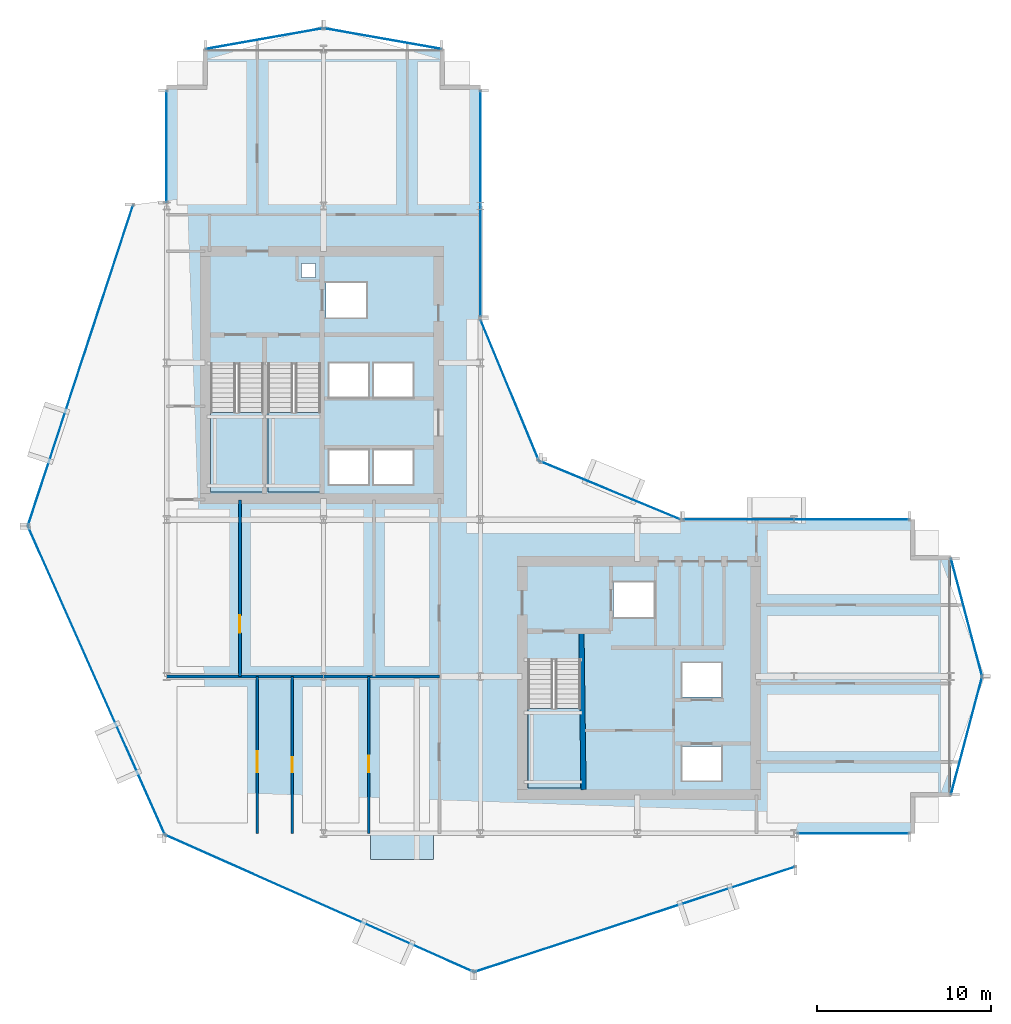
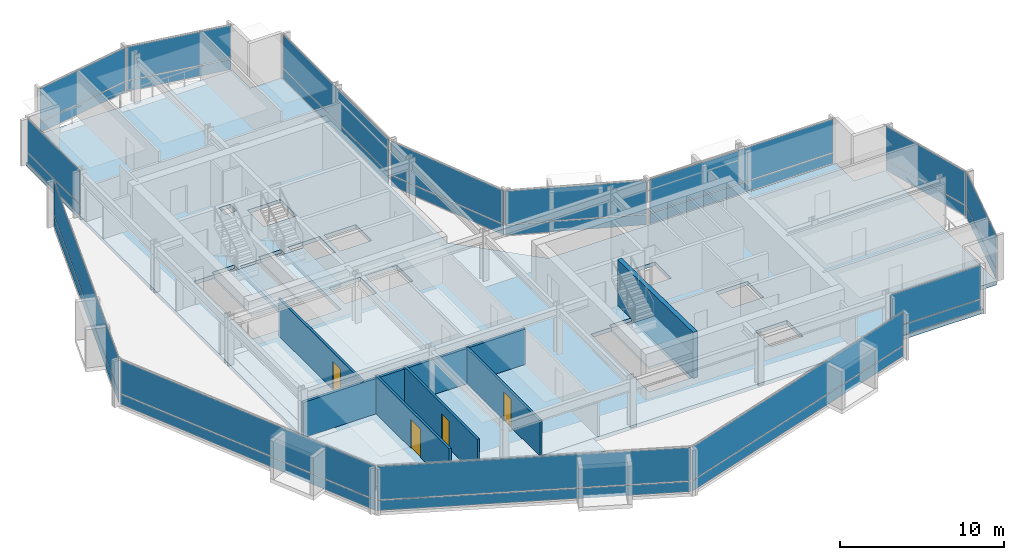
# One storey, part 21 of 29: 28 plates, 6 walls, 5 slabs, 4 doors, 4 openings, 17 elements without a shape of their own.
"""IFC4 building model written with IfcOpenShell, lengths in metres."""

from ifc_helpers import new_model, si_unit, direction, frame, frame_2d, origin, origin_2d, place, context, subcontext, project, spatial, polyline, rectangle, outline, extrude, material, layer, layer_set, type_object, element, fill, aggregate, save


model = new_model("IFC4")

# Units and contexts
model_context = context("Model", 3, precision=1e-05, world=origin(), true_north=direction((0.0, 1.0)))
body_context = subcontext(model_context, "Body", "Model", "MODEL_VIEW")
ifc_project = project(units=[si_unit("LENGTHUNIT", "METRE"), si_unit("AREAUNIT", "SQUARE_METRE"), si_unit("VOLUMEUNIT", "CUBIC_METRE"), si_unit("PLANEANGLEUNIT", "RADIAN"), si_unit("MASSUNIT", "GRAM", prefix="KILO")], contexts=[model_context])

# Site, building, storey
site_placement = place(None, origin())
site = spatial("IfcSite", under=ifc_project, at=site_placement, CompositionType="ELEMENT")
building_placement = place(site_placement, origin())
building = spatial("IfcBuilding", under=site, at=building_placement, Name="Solvaryn Broadcast Tower", CompositionType="ELEMENT")
storey_placement = place(building_placement, frame((0.0, 0.0, 117.39990234375)))
storey = spatial("IfcBuildingStorey", under=building, at=storey_placement, Name="L28", CompositionType="ELEMENT", Elevation=117.39990234375)

# Curtain wall, plates
ifc_material_1 = material(Name="Aluminium and Terracotta Unitised Curtain Wall", Category="masonry")
ifc_layer_1 = layer(ifc_material_1, 0.199951171875)
ifc_layer_set_1 = layer_set([ifc_layer_1], Name="CW-SYS2-LOWMID")
curtain_wall_type_1 = type_object("IfcCurtainWallType", Name="CW-SYS2-LOWMID", PredefinedType="NOTDEFINED", material=ifc_layer_set_1)
curtain_wall_1_placement = place(storey_placement, origin())
curtain_wall_1 = element("IfcCurtainWall", 1, at=curtain_wall_1_placement, inside=storey, type_object=curtain_wall_type_1, Name="L28 Curtain Wall DR1", PredefinedType="NOTDEFINED")
ifc_material_2 = material(Name="Kiln-Fired Architectural Terracotta Spandrel", Category="masonry")
ifc_layer_2 = layer(ifc_material_2, 0.048095703125)
ifc_layer_set_2 = layer_set([ifc_layer_2], Name="CW-PNL-TERRACOTTA")
plate_type = type_object("IfcPlateType", Name="CW-PNL-TERRACOTTA", PredefinedType="CURTAIN_PANEL", material=ifc_layer_set_2)
plate_1_placement = place(storey_placement, frame((4.056396484375, 35.8515625, 0.06005859375), z_axis=(0.0, 0.0, 1.0), x_axis=(-0.311646057547, -0.950198260794, 0.0)))
plate_1 = element("IfcPlate", 2, at=plate_1_placement, type_object=plate_type, Name="CWS2 panel 1.1", PredefinedType="CURTAIN_PANEL", context=body_context, shape_type="SweptSolid", body=[
    extrude(rectangle(XDim=19.277099609375, YDim=0.028076171875, at=origin_2d()), origin(), (0.0, 0.0, 1.0), 0.760009765625),
])
plate_2_placement = place(storey_placement, frame((4.056396484375, 35.8515625, 0.880126953125), z_axis=(0.0, 0.0, 1.0), x_axis=(-0.311646057547, -0.950198260794, 0.0)))
plate_2 = element("IfcPlate", 3, at=plate_2_placement, type_object=plate_type, Name="CWS2 panel 1.2", PredefinedType="CURTAIN_PANEL", context=body_context, shape_type="SweptSolid", body=[
    extrude(rectangle(XDim=19.277099609375, YDim=0.028076171875, at=origin_2d()), origin(), (0.0, 0.0, 1.0), 2.47998046875),
])
aggregate(curtain_wall_1, [plate_1, plate_2])

ifc_material_3 = material(Name="Aluminium and Terracotta Unitised Curtain Wall", Category="masonry")
ifc_layer_3 = layer(ifc_material_3, 0.239990234375)
ifc_layer_set_3 = layer_set([ifc_layer_3], Name="CW-SYS3-BAYBOX")
curtain_wall_type_2 = type_object("IfcCurtainWallType", Name="CW-SYS3-BAYBOX", PredefinedType="NOTDEFINED", material=ifc_layer_set_3)
curtain_wall_2_placement = place(storey_placement, origin())
curtain_wall_2 = element("IfcCurtainWall", 4, at=curtain_wall_2_placement, inside=storey, type_object=curtain_wall_type_2, Name="L28 Curtain Wall DR2", PredefinedType="NOTDEFINED")
plate_3_placement = place(storey_placement, frame((4.970947265625, 17.77197265625, 0.06005859375), z_axis=(0.0, 0.0, 1.0), x_axis=(0.405918429309, -0.913909311008, 0.0)))
plate_3 = element("IfcPlate", 5, at=plate_3_placement, type_object=plate_type, Name="CWS3 panel 1.1", PredefinedType="CURTAIN_PANEL", context=body_context, shape_type="SweptSolid", body=[
    extrude(rectangle(XDim=19.278076171875, YDim=0.028076171875, at=origin_2d()), origin(), (0.0, 0.0, 1.0), 0.760009765625),
])
plate_4_placement = place(storey_placement, frame((4.970947265625, 17.77197265625, 0.880126953125), z_axis=(0.0, 0.0, 1.0), x_axis=(0.405918429309, -0.913909311008, 0.0)))
plate_4 = element("IfcPlate", 6, at=plate_4_placement, type_object=plate_type, Name="CWS3 panel 1.2", PredefinedType="CURTAIN_PANEL", context=body_context, shape_type="SweptSolid", body=[
    extrude(rectangle(XDim=19.278076171875, YDim=0.028076171875, at=origin_2d()), origin(), (0.0, 0.0, 1.0), 2.47998046875),
])
aggregate(curtain_wall_2, [plate_3, plate_4])

curtain_wall_3_placement = place(storey_placement, origin())
curtain_wall_3 = element("IfcCurtainWall", 7, at=curtain_wall_3_placement, inside=storey, type_object=curtain_wall_type_1, Name="L28 Curtain Wall DR3", PredefinedType="NOTDEFINED")
plate_5_placement = place(storey_placement, frame((17.77197265625, 4.970947265625, 0.06005859375), z_axis=(0.0, 0.0, 1.0), x_axis=(0.913909311008, -0.405918429309, 0.0)))
plate_5 = element("IfcPlate", 8, at=plate_5_placement, type_object=plate_type, Name="CWS2 panel 1.1", PredefinedType="CURTAIN_PANEL", context=body_context, shape_type="SweptSolid", body=[
    extrude(rectangle(XDim=19.278076171875, YDim=0.028076171875, at=origin_2d()), origin(), (0.0, 0.0, 1.0), 0.760009765625),
])
plate_6_placement = place(storey_placement, frame((17.77197265625, 4.970947265625, 0.880126953125), z_axis=(0.0, 0.0, 1.0), x_axis=(0.913909311008, -0.405918429309, 0.0)))
plate_6 = element("IfcPlate", 9, at=plate_6_placement, type_object=plate_type, Name="CWS2 panel 1.2", PredefinedType="CURTAIN_PANEL", context=body_context, shape_type="SweptSolid", body=[
    extrude(rectangle(XDim=19.278076171875, YDim=0.028076171875, at=origin_2d()), origin(), (0.0, 0.0, 1.0), 2.47998046875),
])
aggregate(curtain_wall_3, [plate_5, plate_6])

curtain_wall_4_placement = place(storey_placement, origin())
curtain_wall_4 = element("IfcCurtainWall", 10, at=curtain_wall_4_placement, inside=storey, type_object=curtain_wall_type_1, Name="L28 Curtain Wall DR4", PredefinedType="NOTDEFINED")
plate_7_placement = place(storey_placement, frame((35.8515625, 4.056396484375, 0.06005859375), z_axis=(0.0, 0.0, 1.0), x_axis=(0.950198260794, 0.311646057547, 0.0)))
plate_7 = element("IfcPlate", 11, at=plate_7_placement, type_object=plate_type, Name="CWS2 panel 1.1", PredefinedType="CURTAIN_PANEL", context=body_context, shape_type="SweptSolid", body=[
    extrude(rectangle(XDim=19.277099609375, YDim=0.028076171875, at=origin_2d()), origin(), (0.0, 0.0, 1.0), 0.760009765625),
])
plate_8_placement = place(storey_placement, frame((35.8515625, 4.056396484375, 0.880126953125), z_axis=(0.0, 0.0, 1.0), x_axis=(0.950198260794, 0.311646057547, 0.0)))
plate_8 = element("IfcPlate", 12, at=plate_8_placement, type_object=plate_type, Name="CWS2 panel 1.2", PredefinedType="CURTAIN_PANEL", context=body_context, shape_type="SweptSolid", body=[
    extrude(rectangle(XDim=19.277099609375, YDim=0.028076171875, at=origin_2d()), origin(), (0.0, 0.0, 1.0), 2.47998046875),
])
aggregate(curtain_wall_4, [plate_7, plate_8])

curtain_wall_5_placement = place(storey_placement, origin())
curtain_wall_5 = element("IfcCurtainWall", 13, at=curtain_wall_5_placement, inside=storey, type_object=curtain_wall_type_1, Name="L28 Curtain Wall W2", PredefinedType="NOTDEFINED")
plate_9_placement = place(storey_placement, frame((9.0, 48.408447265625, 0.06005859375), z_axis=(0.0, 0.0, 1.0), x_axis=(0.0, 1.0, 0.0)))
plate_9 = element("IfcPlate", 14, at=plate_9_placement, type_object=plate_type, Name="CWS2 panel 1.1", PredefinedType="CURTAIN_PANEL", context=body_context, shape_type="SweptSolid", body=[
    extrude(rectangle(XDim=6.363037109375, YDim=0.028076171875, at=origin_2d()), origin(), (0.0, 0.0, 1.0), 0.760009765625),
])
plate_10_placement = place(storey_placement, frame((9.0, 48.408447265625, 0.880126953125), z_axis=(0.0, 0.0, 1.0), x_axis=(0.0, 1.0, 0.0)))
plate_10 = element("IfcPlate", 15, at=plate_10_placement, type_object=plate_type, Name="CWS2 panel 1.2", PredefinedType="CURTAIN_PANEL", context=body_context, shape_type="SweptSolid", body=[
    extrude(rectangle(XDim=6.363037109375, YDim=0.028076171875, at=origin_2d()), origin(), (0.0, 0.0, 1.0), 2.47998046875),
])
aggregate(curtain_wall_5, [plate_9, plate_10])

curtain_wall_6_placement = place(storey_placement, origin())
curtain_wall_6 = element("IfcCurtainWall", 16, at=curtain_wall_6_placement, inside=storey, type_object=curtain_wall_type_1, Name="L28 Curtain Wall IV", PredefinedType="NOTDEFINED")
plate_11_placement = place(storey_placement, frame((27.0, 45.125, 0.06005859375), z_axis=(0.0, 0.0, 1.0), x_axis=(0.0, -1.0, 0.0)))
plate_11 = element("IfcPlate", 17, at=plate_11_placement, type_object=plate_type, Name="CWS2 panel 1.1", PredefinedType="CURTAIN_PANEL", context=body_context, shape_type="SweptSolid", body=[
    extrude(rectangle(XDim=12.929931640625, YDim=0.028076171875, at=origin_2d()), origin(), (0.0, 0.0, 1.0), 0.760009765625),
])
plate_12_placement = place(storey_placement, frame((27.0, 45.125, 0.880126953125), z_axis=(0.0, 0.0, 1.0), x_axis=(0.0, -1.0, 0.0)))
plate_12 = element("IfcPlate", 18, at=plate_12_placement, type_object=plate_type, Name="CWS2 panel 1.2", PredefinedType="CURTAIN_PANEL", context=body_context, shape_type="SweptSolid", body=[
    extrude(rectangle(XDim=12.929931640625, YDim=0.028076171875, at=origin_2d()), origin(), (0.0, 0.0, 1.0), 2.47998046875),
])
aggregate(curtain_wall_6, [plate_11, plate_12])

curtain_wall_7_placement = place(storey_placement, origin())
curtain_wall_7 = element("IfcCurtainWall", 19, at=curtain_wall_7_placement, inside=storey, type_object=curtain_wall_type_1, Name="L28 Curtain Wall CN1", PredefinedType="NOTDEFINED")
plate_13_placement = place(storey_placement, frame((34.43408203125, 28.68408203125, 0.06005859375), z_axis=(0.0, 0.0, 1.0), x_axis=(-0.923894983957, 0.382646127145, 0.0)))
plate_13 = element("IfcPlate", 20, at=plate_13_placement, type_object=plate_type, Name="CWS2 panel 1.1", PredefinedType="CURTAIN_PANEL", context=body_context, shape_type="SweptSolid", body=[
    extrude(rectangle(XDim=8.681884765625, YDim=0.028076171875, at=origin_2d()), origin(), (0.0, 0.0, 1.0), 0.760009765625),
])
plate_14_placement = place(storey_placement, frame((34.43408203125, 28.68408203125, 0.880126953125), z_axis=(0.0, 0.0, 1.0), x_axis=(-0.923894983957, 0.382646127145, 0.0)))
plate_14 = element("IfcPlate", 21, at=plate_14_placement, type_object=plate_type, Name="CWS2 panel 1.2", PredefinedType="CURTAIN_PANEL", context=body_context, shape_type="SweptSolid", body=[
    extrude(rectangle(XDim=8.681884765625, YDim=0.028076171875, at=origin_2d()), origin(), (0.0, 0.0, 1.0), 2.47998046875),
])
aggregate(curtain_wall_7, [plate_13, plate_14])

curtain_wall_8_placement = place(storey_placement, origin())
curtain_wall_8 = element("IfcCurtainWall", 22, at=curtain_wall_8_placement, inside=storey, type_object=curtain_wall_type_1, Name="L28 Curtain Wall CN2", PredefinedType="NOTDEFINED")
plate_15_placement = place(storey_placement, frame((28.68408203125, 34.43408203125, 0.06005859375), z_axis=(0.0, 0.0, 1.0), x_axis=(-0.382646127145, 0.923894983957, 0.0)))
plate_15 = element("IfcPlate", 23, at=plate_15_placement, type_object=plate_type, Name="CWS2 panel 1.1", PredefinedType="CURTAIN_PANEL", context=body_context, shape_type="SweptSolid", body=[
    extrude(rectangle(XDim=8.681884765625, YDim=0.028076171875, at=origin_2d()), origin(), (0.0, 0.0, 1.0), 0.760009765625),
])
plate_16_placement = place(storey_placement, frame((28.68408203125, 34.43408203125, 0.880126953125), z_axis=(0.0, 0.0, 1.0), x_axis=(-0.382646127145, 0.923894983957, 0.0)))
plate_16 = element("IfcPlate", 24, at=plate_16_placement, type_object=plate_type, Name="CWS2 panel 1.2", PredefinedType="CURTAIN_PANEL", context=body_context, shape_type="SweptSolid", body=[
    extrude(rectangle(XDim=8.681884765625, YDim=0.028076171875, at=origin_2d()), origin(), (0.0, 0.0, 1.0), 2.47998046875),
])
aggregate(curtain_wall_8, [plate_15, plate_16])

curtain_wall_9_placement = place(storey_placement, origin())
curtain_wall_9 = element("IfcCurtainWall", 25, at=curtain_wall_9_placement, inside=storey, type_object=curtain_wall_type_1, Name="L28 Curtain Wall S2", PredefinedType="NOTDEFINED")
plate_17_placement = place(storey_placement, frame((48.408447265625, 9.0, 0.06005859375), z_axis=(0.0, 0.0, 1.0), x_axis=(1.0, 0.0, 0.0)))
plate_17 = element("IfcPlate", 26, at=plate_17_placement, type_object=plate_type, Name="CWS2 panel 1.1", PredefinedType="CURTAIN_PANEL", context=body_context, shape_type="SweptSolid", body=[
    extrude(rectangle(XDim=6.363037109375, YDim=0.028076171875, at=origin_2d()), origin(), (0.0, 0.0, 1.0), 0.760009765625),
])
plate_18_placement = place(storey_placement, frame((48.408447265625, 9.0, 0.880126953125), z_axis=(0.0, 0.0, 1.0), x_axis=(1.0, 0.0, 0.0)))
plate_18 = element("IfcPlate", 27, at=plate_18_placement, type_object=plate_type, Name="CWS2 panel 1.2", PredefinedType="CURTAIN_PANEL", context=body_context, shape_type="SweptSolid", body=[
    extrude(rectangle(XDim=6.363037109375, YDim=0.028076171875, at=origin_2d()), origin(), (0.0, 0.0, 1.0), 2.47998046875),
])
aggregate(curtain_wall_9, [plate_17, plate_18])

curtain_wall_10_placement = place(storey_placement, origin())
curtain_wall_10 = element("IfcCurtainWall", 28, at=curtain_wall_10_placement, inside=storey, type_object=curtain_wall_type_1, Name="L28 Curtain Wall NT1", PredefinedType="NOTDEFINED")
plate_19_placement = place(storey_placement, frame((21.39990234375, 54.60009765625, 0.06005859375), z_axis=(0.0, 0.0, 1.0), x_axis=(-0.984783558819, 0.173785333901, 0.0)))
plate_19 = element("IfcPlate", 29, at=plate_19_placement, type_object=plate_type, Name="CWS2 panel 1.1", PredefinedType="CURTAIN_PANEL", context=body_context, shape_type="SweptSolid", body=[
    extrude(rectangle(XDim=6.78515625, YDim=0.028076171875, at=origin_2d()), origin(), (0.0, 0.0, 1.0), 0.760009765625),
])
plate_20_placement = place(storey_placement, frame((21.39990234375, 54.60009765625, 0.880126953125), z_axis=(0.0, 0.0, 1.0), x_axis=(-0.984783558819, 0.173785333901, 0.0)))
plate_20 = element("IfcPlate", 30, at=plate_20_placement, type_object=plate_type, Name="CWS2 panel 1.2", PredefinedType="CURTAIN_PANEL", context=body_context, shape_type="SweptSolid", body=[
    extrude(rectangle(XDim=6.78515625, YDim=0.028076171875, at=origin_2d()), origin(), (0.0, 0.0, 1.0), 2.47998046875),
])
aggregate(curtain_wall_10, [plate_19, plate_20])

curtain_wall_11_placement = place(storey_placement, origin())
curtain_wall_11 = element("IfcCurtainWall", 31, at=curtain_wall_11_placement, inside=storey, type_object=curtain_wall_type_1, Name="L28 Curtain Wall NT2", PredefinedType="NOTDEFINED")
plate_21_placement = place(storey_placement, frame((14.60009765625, 54.60009765625, 0.06005859375), z_axis=(0.0, 0.0, 1.0), x_axis=(-0.984783558819, -0.173785333901, 0.0)))
plate_21 = element("IfcPlate", 32, at=plate_21_placement, type_object=plate_type, Name="CWS2 panel 1.1", PredefinedType="CURTAIN_PANEL", context=body_context, shape_type="SweptSolid", body=[
    extrude(rectangle(XDim=6.78515625, YDim=0.028076171875, at=origin_2d()), origin(), (0.0, 0.0, 1.0), 0.760009765625),
])
plate_22_placement = place(storey_placement, frame((14.60009765625, 54.60009765625, 0.880126953125), z_axis=(0.0, 0.0, 1.0), x_axis=(-0.984783558819, -0.173785333901, 0.0)))
plate_22 = element("IfcPlate", 33, at=plate_22_placement, type_object=plate_type, Name="CWS2 panel 1.2", PredefinedType="CURTAIN_PANEL", context=body_context, shape_type="SweptSolid", body=[
    extrude(rectangle(XDim=6.78515625, YDim=0.028076171875, at=origin_2d()), origin(), (0.0, 0.0, 1.0), 2.47998046875),
])
aggregate(curtain_wall_11, [plate_21, plate_22])

curtain_wall_12_placement = place(storey_placement, origin())
curtain_wall_12 = element("IfcCurtainWall", 34, at=curtain_wall_12_placement, inside=storey, type_object=curtain_wall_type_1, Name="L28 Curtain Wall ET1", PredefinedType="NOTDEFINED")
plate_23_placement = place(storey_placement, frame((54.89990234375, 21.39990234375, 0.06005859375), z_axis=(0.0, 0.0, 1.0), x_axis=(0.25589256031, -0.966705227863, 0.0)))
plate_23 = element("IfcPlate", 35, at=plate_23_placement, type_object=plate_type, Name="CWS2 panel 1.1", PredefinedType="CURTAIN_PANEL", context=body_context, shape_type="SweptSolid", body=[
    extrude(rectangle(XDim=6.914306640625, YDim=0.028076171875, at=origin_2d()), origin(), (0.0, 0.0, 1.0), 0.760009765625),
])
plate_24_placement = place(storey_placement, frame((54.89990234375, 21.39990234375, 0.880126953125), z_axis=(0.0, 0.0, 1.0), x_axis=(0.25589256031, -0.966705227863, 0.0)))
plate_24 = element("IfcPlate", 36, at=plate_24_placement, type_object=plate_type, Name="CWS2 panel 1.2", PredefinedType="CURTAIN_PANEL", context=body_context, shape_type="SweptSolid", body=[
    extrude(rectangle(XDim=6.914306640625, YDim=0.028076171875, at=origin_2d()), origin(), (0.0, 0.0, 1.0), 2.47998046875),
])
aggregate(curtain_wall_12, [plate_23, plate_24])

curtain_wall_13_placement = place(storey_placement, origin())
curtain_wall_13 = element("IfcCurtainWall", 37, at=curtain_wall_13_placement, inside=storey, type_object=curtain_wall_type_1, Name="L28 Curtain Wall ET2", PredefinedType="NOTDEFINED")
plate_25_placement = place(storey_placement, frame((54.89990234375, 14.60009765625, 0.06005859375), z_axis=(0.0, 0.0, 1.0), x_axis=(-0.25589256031, -0.966705227863, 0.0)))
plate_25 = element("IfcPlate", 38, at=plate_25_placement, type_object=plate_type, Name="CWS2 panel 1.1", PredefinedType="CURTAIN_PANEL", context=body_context, shape_type="SweptSolid", body=[
    extrude(rectangle(XDim=6.914306640625, YDim=0.028076171875, at=origin_2d()), origin(), (0.0, 0.0, 1.0), 0.760009765625),
])
plate_26_placement = place(storey_placement, frame((54.89990234375, 14.60009765625, 0.880126953125), z_axis=(0.0, 0.0, 1.0), x_axis=(-0.25589256031, -0.966705227863, 0.0)))
plate_26 = element("IfcPlate", 39, at=plate_26_placement, type_object=plate_type, Name="CWS2 panel 1.2", PredefinedType="CURTAIN_PANEL", context=body_context, shape_type="SweptSolid", body=[
    extrude(rectangle(XDim=6.914306640625, YDim=0.028076171875, at=origin_2d()), origin(), (0.0, 0.0, 1.0), 2.47998046875),
])
aggregate(curtain_wall_13, [plate_25, plate_26])

curtain_wall_14_placement = place(storey_placement, origin())
curtain_wall_14 = element("IfcCurtainWall", 40, at=curtain_wall_14_placement, inside=storey, type_object=curtain_wall_type_1, Name="L28 Curtain Wall IH", PredefinedType="NOTDEFINED")
plate_27_placement = place(storey_placement, frame((45.125, 27.0, 0.06005859375), z_axis=(0.0, 0.0, 1.0), x_axis=(1.0, 0.0, 0.0)))
plate_27 = element("IfcPlate", 41, at=plate_27_placement, type_object=plate_type, Name="CWS2 panel 1.1", PredefinedType="CURTAIN_PANEL", context=body_context, shape_type="SweptSolid", body=[
    extrude(rectangle(XDim=12.929931640625, YDim=0.028076171875, at=origin_2d()), origin(), (0.0, 0.0, 1.0), 0.760009765625),
])
plate_28_placement = place(storey_placement, frame((45.125, 27.0, 0.880126953125), z_axis=(0.0, 0.0, 1.0), x_axis=(1.0, 0.0, 0.0)))
plate_28 = element("IfcPlate", 42, at=plate_28_placement, type_object=plate_type, Name="CWS2 panel 1.2", PredefinedType="CURTAIN_PANEL", context=body_context, shape_type="SweptSolid", body=[
    extrude(rectangle(XDim=12.929931640625, YDim=0.028076171875, at=origin_2d()), origin(), (0.0, 0.0, 1.0), 2.47998046875),
])
aggregate(curtain_wall_14, [plate_27, plate_28])

# Slab
ifc_material_4 = material(Name="Concrete f'c 60 MPa", Category="concrete")
ifc_layer_4 = layer(ifc_material_4, 0.2099609375)
ifc_layer_set_4 = layer_set([ifc_layer_4], Name="SL-BAYBOX-210")
slab_type_1 = type_object("IfcSlabType", Name="SL-BAYBOX-210", PredefinedType="FLOOR", material=ifc_layer_set_4)
slab_1_placement = place(storey_placement, frame((0.0, 0.0, -0.2099609375)))
element("IfcSlab", 43, at=slab_1_placement, inside=storey, type_object=slab_type_1, Name="L28 Projecting Bay-Box Slab 1", PredefinedType="FLOOR", context=body_context, shape_type="SweptSolid", body=[
    extrude(outline(polyline([(20.699951171875, 7.5), (24.300048828125, 7.5), (24.300048828125, 9.0), (20.699951171875, 9.0), (20.699951171875, 7.5)])), origin(), (0.0, 0.0, 1.0), 0.2099609375),
])

# Stair, slab
ifc_material_5 = material(Name="Concrete f'c 60 MPa", Category="concrete")
stair_type = type_object("IfcStairType", Name="ST-CORE", PredefinedType="HALF_TURN_STAIR", material=ifc_material_5)
stair_1_placement = place(storey_placement, origin())
stair_1 = element("IfcStair", 44, at=stair_1_placement, inside=storey, type_object=stair_type, Name="L28 ST1", PredefinedType="HALF_TURN_STAIR")
ifc_material_6 = material(Name="Concrete f'c 60 MPa", Category="concrete")
ifc_layer_5 = layer(ifc_material_6, 0.199951171875)
ifc_layer_set_5 = layer_set([ifc_layer_5], Name="SL-LANDING-200")
slab_type_2 = type_object("IfcSlabType", Name="SL-LANDING-200", PredefinedType="LANDING", material=ifc_layer_set_5)
slab_2_placement = place(storey_placement, frame((0.0, 0.0, 1.650146484375)))
slab_2 = element("IfcSlab", 45, at=slab_2_placement, type_object=slab_type_2, Name="ST1 landing 1", PredefinedType="LANDING", context=body_context, shape_type="SweptSolid", body=[
    extrude(outline(polyline([(11.52001953125, 33.159912109375), (11.52001953125, 28.60009765625), (14.550048828125, 28.60009765625), (14.550048828125, 33.159912109375), (11.52001953125, 33.159912109375)])), origin(), (0.0, 0.0, 1.0), 0.199951171875),
])
aggregate(stair_1, [slab_2])

stair_2_placement = place(storey_placement, origin())
stair_2 = element("IfcStair", 46, at=stair_2_placement, inside=storey, type_object=stair_type, Name="L28 ST2", PredefinedType="HALF_TURN_STAIR")
slab_3_placement = place(storey_placement, frame((0.0, 0.0, 1.650146484375)))
slab_3 = element("IfcSlab", 47, at=slab_3_placement, type_object=slab_type_2, Name="ST2 landing 1", PredefinedType="LANDING", context=body_context, shape_type="SweptSolid", body=[
    extrude(outline(polyline([(14.800048828125, 33.159912109375), (14.800048828125, 28.60009765625), (17.830078125, 28.60009765625), (17.830078125, 33.159912109375), (14.800048828125, 33.159912109375)])), origin(), (0.0, 0.0, 1.0), 0.199951171875),
])
aggregate(stair_2, [slab_3])

stair_3_placement = place(storey_placement, origin())
stair_3 = element("IfcStair", 48, at=stair_3_placement, inside=storey, type_object=stair_type, Name="L28 ST3", PredefinedType="HALF_TURN_STAIR")
slab_4_placement = place(storey_placement, frame((0.0, 0.0, 1.650146484375)))
slab_4 = element("IfcSlab", 49, at=slab_4_placement, type_object=slab_type_2, Name="ST3 landing 1", PredefinedType="LANDING", context=body_context, shape_type="SweptSolid", body=[
    extrude(outline(polyline([(29.719970703125, 16.159912109375), (29.719970703125, 11.60009765625), (32.75, 11.60009765625), (32.75, 16.159912109375), (29.719970703125, 16.159912109375)])), origin(), (0.0, 0.0, 1.0), 0.199951171875),
])
aggregate(stair_3, [slab_4])

# Slab
ifc_material_7 = material(Name="Concrete f'c 60 MPa", Category="concrete")
ifc_layer_6 = layer(ifc_material_7, 0.280029296875)
ifc_layer_set_6 = layer_set([ifc_layer_6], Name="SL-TWR-280")
slab_type_3 = type_object("IfcSlabType", Name="SL-TWR-280", PredefinedType="FLOOR", material=ifc_layer_set_6)
slab_5_placement = place(storey_placement, frame((0.0, 0.0, -0.27978515625)))
element("IfcSlab", 50, at=slab_5_placement, inside=storey, type_object=slab_type_3, Name="L28 Structural Floor Slab", PredefinedType="FLOOR", context=body_context, shape_type="SweptSolid", body=[
    extrude(outline(polyline([(11.199951171875, 9.0), (51.800048828125, 9.0), (51.800048828125, 11.199951171875), (54.0, 11.199951171875), (54.0, 24.800048828125), (51.800048828125, 24.800048828125), (51.800048828125, 27.0), (31.5, 27.0), (27.0, 31.5), (27.0, 51.800048828125), (24.800048828125, 51.800048828125), (24.800048828125, 54.0), (11.199951171875, 54.0), (11.199951171875, 51.800048828125), (9.0, 51.800048828125), (9.0, 11.199951171875), (11.199951171875, 11.199951171875), (11.199951171875, 9.0)]), holes=[polyline([(11.52001953125, 28.60009765625), (14.550048828125, 28.60009765625), (14.550048828125, 35.9599609375), (12.97998046875, 35.9599609375), (12.97998046875, 35.679931640625), (11.52001953125, 35.679931640625), (11.52001953125, 28.60009765625)]), polyline([(14.800048828125, 28.60009765625), (17.830078125, 28.60009765625), (17.830078125, 35.9599609375), (16.260009765625, 35.9599609375), (16.260009765625, 35.679931640625), (14.800048828125, 35.679931640625), (14.800048828125, 28.60009765625)]), polyline([(29.719970703125, 11.60009765625), (32.75, 11.60009765625), (32.75, 18.9599609375), (31.179931640625, 18.9599609375), (31.179931640625, 18.679931640625), (29.719970703125, 18.679931640625), (29.719970703125, 11.60009765625)]), polyline([(18.14990234375, 38.60009765625), (20.449951171875, 38.60009765625), (20.449951171875, 40.60009765625), (18.14990234375, 40.60009765625), (18.14990234375, 38.60009765625)]), polyline([(18.324951171875, 29.02490234375), (20.574951171875, 29.02490234375), (20.574951171875, 30.97509765625), (18.324951171875, 30.97509765625), (18.324951171875, 29.02490234375)]), polyline([(20.875, 29.02490234375), (23.125, 29.02490234375), (23.125, 30.97509765625), (20.875, 30.97509765625), (20.875, 29.02490234375)]), polyline([(18.324951171875, 34.02490234375), (20.574951171875, 34.02490234375), (20.574951171875, 35.97509765625), (18.324951171875, 35.97509765625), (18.324951171875, 34.02490234375)]), polyline([(20.875, 34.02490234375), (23.125, 34.02490234375), (23.125, 35.97509765625), (20.875, 35.97509765625), (20.875, 34.02490234375)]), polyline([(34.64990234375, 21.39990234375), (36.949951171875, 21.39990234375), (36.949951171875, 23.39990234375), (34.64990234375, 23.39990234375), (34.64990234375, 21.39990234375)]), polyline([(38.574951171875, 12.02490234375), (40.824951171875, 12.02490234375), (40.824951171875, 13.97509765625), (38.574951171875, 13.97509765625), (38.574951171875, 12.02490234375)]), polyline([(38.574951171875, 16.824951171875), (40.824951171875, 16.824951171875), (40.824951171875, 18.77490234375), (38.574951171875, 18.77490234375), (38.574951171875, 16.824951171875)]), polyline([(16.75, 40.89990234375), (17.550048828125, 40.89990234375), (17.550048828125, 41.699951171875), (16.75, 41.699951171875), (16.75, 40.89990234375)])]), origin(), (0.0, 0.0, 1.0), 0.27978515625),
])

# Wall, opening, door
ifc_material_8 = material(Name="Metal-Stud Gypsum Office Partition")
ifc_layer_7 = layer(ifc_material_8, 0.159912109375)
ifc_layer_set_7 = layer_set([ifc_layer_7], Name="IW-PART-160")
wall_type_1 = type_object("IfcWallType", Name="IW-PART-160", PredefinedType="PARTITIONING", material=ifc_layer_set_7)
wall_1_placement = place(storey_placement, frame((13.199951171875, 18.0, 0.0), z_axis=(0.0, 0.0, 1.0), x_axis=(0.0, 1.0, 0.0)))
wall_1 = element("IfcWall", 51, at=wall_1_placement, inside=storey, type_object=wall_type_1, Name="L28 Interior Partition IW-L28-SWN-V1", PredefinedType="PARTITIONING", context=body_context, shape_type="SweptSolid", body=[
    extrude(rectangle(XDim=10.1298828125, YDim=0.159912109375, at=frame_2d((5.06494140625, 0.0))), origin(), (0.0, 0.0, 1.0), 2.7890625),
])
opening_1_placement = place(wall_1_placement, frame((2.5, 0.0, 0.0)))
opening_1 = element("IfcOpeningElement", 52, at=opening_1_placement, cuts=wall_1, Name="Opening ID02", PredefinedType="OPENING", context=body_context, shape_type="SweptSolid", body=[
    extrude(rectangle(XDim=1.0, YDim=2.10009765625, at=frame_2d((0.5, 1.050048828125))), frame((0.0, 0.090087890625, 0.0), z_axis=(0.0, -1.0, 0.0), x_axis=(1.0, 0.0, 0.0)), (0.0, 0.0, 1.0), 0.179931640625),
])
ifc_material_9 = material(Name="Flush Acoustic Steel and Timber Door Assembly", Category="steel")
door_type_1 = type_object("IfcDoorType", Name="ID-02-1000X2100", OperationType="NOTDEFINED", PredefinedType="DOOR", material=ifc_material_9)
door_1_placement = place(opening_1_placement, origin())
door_1 = element("IfcDoor", 53, at=door_1_placement, inside=storey, type_object=door_type_1, Name="L28 Door DR-L28-SWN-1", OperationType="SINGLE_SWING_LEFT", OverallHeight=2.10009765625, OverallWidth=1.0, PredefinedType="DOOR", context=body_context, shape_type="SweptSolid", body=[
    extrude(rectangle(XDim=1.0, YDim=2.10009765625, at=frame_2d((0.5, 1.050048828125))), frame((0.0, 0.02490234375, 0.0), z_axis=(0.0, -1.0, 0.0), x_axis=(1.0, 0.0, 0.0)), (0.0, 0.0, 1.0), 0.050048828125),
])
fill(opening_1, door_1)

wall_2_placement = place(storey_placement, frame((14.199951171875, 9.0, 0.0), z_axis=(0.0, 0.0, 1.0), x_axis=(0.0, 1.0, 0.0)))
wall_2 = element("IfcWall", 54, at=wall_2_placement, inside=storey, type_object=wall_type_1, Name="L28 Interior Partition IW-L28-SWS-V1", PredefinedType="PARTITIONING", context=body_context, shape_type="SweptSolid", body=[
    extrude(rectangle(XDim=9.0, YDim=0.159912109375, at=frame_2d((4.5, 0.0))), origin(), (0.0, 0.0, 1.0), 2.7890625),
])
opening_2_placement = place(wall_2_placement, frame((3.5, 0.0, 0.0)))
opening_2 = element("IfcOpeningElement", 55, at=opening_2_placement, cuts=wall_2, Name="Opening ID04", PredefinedType="OPENING", context=body_context, shape_type="SweptSolid", body=[
    extrude(rectangle(XDim=1.199951171875, YDim=2.14990234375, at=frame_2d((0.60009765625, 1.074951171875))), frame((0.0, 0.090087890625, 0.0), z_axis=(0.0, -1.0, 0.0), x_axis=(1.0, 0.0, 0.0)), (0.0, 0.0, 1.0), 0.179931640625),
])
ifc_material_10 = material(Name="Flush Acoustic Steel and Timber Door Assembly", Category="steel")
door_type_2 = type_object("IfcDoorType", Name="ID-04-1200X2150", OperationType="NOTDEFINED", PredefinedType="DOOR", material=ifc_material_10)
door_2_placement = place(opening_2_placement, origin())
door_2 = element("IfcDoor", 56, at=door_2_placement, inside=storey, type_object=door_type_2, Name="L28 Door DR-L28-SWS-1", OperationType="SINGLE_SWING_LEFT", OverallHeight=2.14990234375, OverallWidth=1.199951171875, PredefinedType="DOOR", context=body_context, shape_type="SweptSolid", body=[
    extrude(rectangle(XDim=1.199951171875, YDim=2.14990234375, at=frame_2d((0.60009765625, 1.074951171875))), frame((0.0, 0.02490234375, 0.0), z_axis=(0.0, -1.0, 0.0), x_axis=(1.0, 0.0, 0.0)), (0.0, 0.0, 1.0), 0.050048828125),
])
fill(opening_2, door_2)

wall_3_placement = place(storey_placement, frame((16.199951171875, 9.0, 0.0), z_axis=(0.0, 0.0, 1.0), x_axis=(0.0, 1.0, 0.0)))
wall_3 = element("IfcWall", 57, at=wall_3_placement, inside=storey, type_object=wall_type_1, Name="L28 Interior Partition IW-L28-SWS-V2", PredefinedType="PARTITIONING", context=body_context, shape_type="SweptSolid", body=[
    extrude(rectangle(XDim=9.0, YDim=0.159912109375, at=frame_2d((4.5, 0.0))), origin(), (0.0, 0.0, 1.0), 2.7890625),
])
opening_3_placement = place(wall_3_placement, frame((3.5, 0.0, 0.0)))
opening_3 = element("IfcOpeningElement", 58, at=opening_3_placement, cuts=wall_3, Name="Opening ID07", PredefinedType="OPENING", context=body_context, shape_type="SweptSolid", body=[
    extrude(rectangle(XDim=0.860107421875, YDim=2.050048828125, at=frame_2d((0.43017578125, 1.02490234375))), frame((0.0, 0.090087890625, 0.0), z_axis=(0.0, -1.0, 0.0), x_axis=(1.0, 0.0, 0.0)), (0.0, 0.0, 1.0), 0.179931640625),
])
ifc_material_11 = material(Name="Flush Acoustic Steel and Timber Door Assembly", Category="steel")
door_type_3 = type_object("IfcDoorType", Name="ID-07-860X2050", OperationType="NOTDEFINED", PredefinedType="DOOR", material=ifc_material_11)
door_3_placement = place(opening_3_placement, origin())
door_3 = element("IfcDoor", 59, at=door_3_placement, inside=storey, type_object=door_type_3, Name="L28 Door DR-L28-SWS-2", OperationType="SINGLE_SWING_RIGHT", OverallHeight=2.050048828125, OverallWidth=0.860107421875, PredefinedType="DOOR", context=body_context, shape_type="SweptSolid", body=[
    extrude(rectangle(XDim=0.860107421875, YDim=2.050048828125, at=frame_2d((0.43017578125, 1.02490234375))), frame((0.0, 0.02490234375, 0.0), z_axis=(0.0, -1.0, 0.0), x_axis=(1.0, 0.0, 0.0)), (0.0, 0.0, 1.0), 0.050048828125),
])
fill(opening_3, door_3)

wall_4_placement = place(storey_placement, frame((20.60009765625, 9.0, 0.0), z_axis=(0.0, 0.0, 1.0), x_axis=(0.0, 1.0, 0.0)))
wall_4 = element("IfcWall", 60, at=wall_4_placement, inside=storey, type_object=wall_type_1, Name="L28 Interior Partition IW-L28-SWS-V3", PredefinedType="PARTITIONING", context=body_context, shape_type="SweptSolid", body=[
    extrude(rectangle(XDim=9.0, YDim=0.159912109375, at=frame_2d((4.5, 0.0))), origin(), (0.0, 0.0, 1.0), 2.634033203125),
])
opening_4_placement = place(wall_4_placement, frame((3.5, 0.0, 0.0)))
opening_4 = element("IfcOpeningElement", 61, at=opening_4_placement, cuts=wall_4, Name="Opening ID01", PredefinedType="OPENING", context=body_context, shape_type="SweptSolid", body=[
    extrude(rectangle(XDim=0.949951171875, YDim=2.10009765625, at=frame_2d((0.47509765625, 1.050048828125))), frame((0.0, 0.090087890625, 0.0), z_axis=(0.0, -1.0, 0.0), x_axis=(1.0, 0.0, 0.0)), (0.0, 0.0, 1.0), 0.179931640625),
])
ifc_material_12 = material(Name="Flush Acoustic Steel and Timber Door Assembly", Category="steel")
door_type_4 = type_object("IfcDoorType", Name="ID-01-950X2100", OperationType="NOTDEFINED", PredefinedType="DOOR", material=ifc_material_12)
door_4_placement = place(opening_4_placement, origin())
door_4 = element("IfcDoor", 62, at=door_4_placement, inside=storey, type_object=door_type_4, Name="L28 Door DR-L28-SWS-3", OperationType="SINGLE_SWING_LEFT", OverallHeight=2.10009765625, OverallWidth=0.949951171875, PredefinedType="DOOR", context=body_context, shape_type="SweptSolid", body=[
    extrude(rectangle(XDim=0.949951171875, YDim=2.10009765625, at=frame_2d((0.47509765625, 1.050048828125))), frame((0.0, 0.02490234375, 0.0), z_axis=(0.0, -1.0, 0.0), x_axis=(1.0, 0.0, 0.0)), (0.0, 0.0, 1.0), 0.050048828125),
])
fill(opening_4, door_4)

# Walls
ifc_material_13 = material(Name="Acoustic Metal-Stud Gypsum Partition")
ifc_layer_8 = layer(ifc_material_13, 0.179931640625)
ifc_layer_set_8 = layer_set([ifc_layer_8], Name="IW-PART-180")
wall_type_2 = type_object("IfcWallType", Name="IW-PART-180", PredefinedType="PARTITIONING", material=ifc_layer_set_8)
wall_5_placement = place(storey_placement, frame((9.0, 18.0, 0.0), z_axis=(0.0, 0.0, 1.0), x_axis=(1.0, 0.0, 0.0)))
element("IfcWall", 63, at=wall_5_placement, inside=storey, type_object=wall_type_2, Name="L28 Interior Partition IW-L28-SW-HY", PredefinedType="PARTITIONING", context=body_context, shape_type="SweptSolid", body=[
    extrude(rectangle(XDim=15.64990234375, YDim=0.179931640625, at=frame_2d((7.824951171875, 0.0))), origin(), (0.0, 0.0, 1.0), 2.634033203125),
])
ifc_material_14 = material(Name="Concrete f'c 70 MPa", Category="concrete")
ifc_layer_9 = layer(ifc_material_14, 0.300048828125)
ifc_layer_set_9 = layer_set([ifc_layer_9], Name="SW-SHAFT-300")
wall_type_3 = type_object("IfcWallType", Name="SW-SHAFT-300", PredefinedType="SHEAR", material=ifc_layer_set_9)
wall_6_placement = place(storey_placement, frame((32.919921875, 11.5, 0.0), z_axis=(0.0, 0.0, 1.0), x_axis=(-0.013244407292, 0.999912288991, 0.0)))
element("IfcWall", 64, at=wall_6_placement, inside=storey, type_object=wall_type_3, Name="L28 Stair 3 East Shear Wall", PredefinedType="SHEAR", context=body_context, shape_type="SweptSolid", body=[
    extrude(rectangle(XDim=9.05078125, YDim=0.300048828125, at=frame_2d((4.525390625, 0.0))), origin(), (0.0, 0.0, 1.0), 3.420166015625),
])

save(model, "model.ifc")
